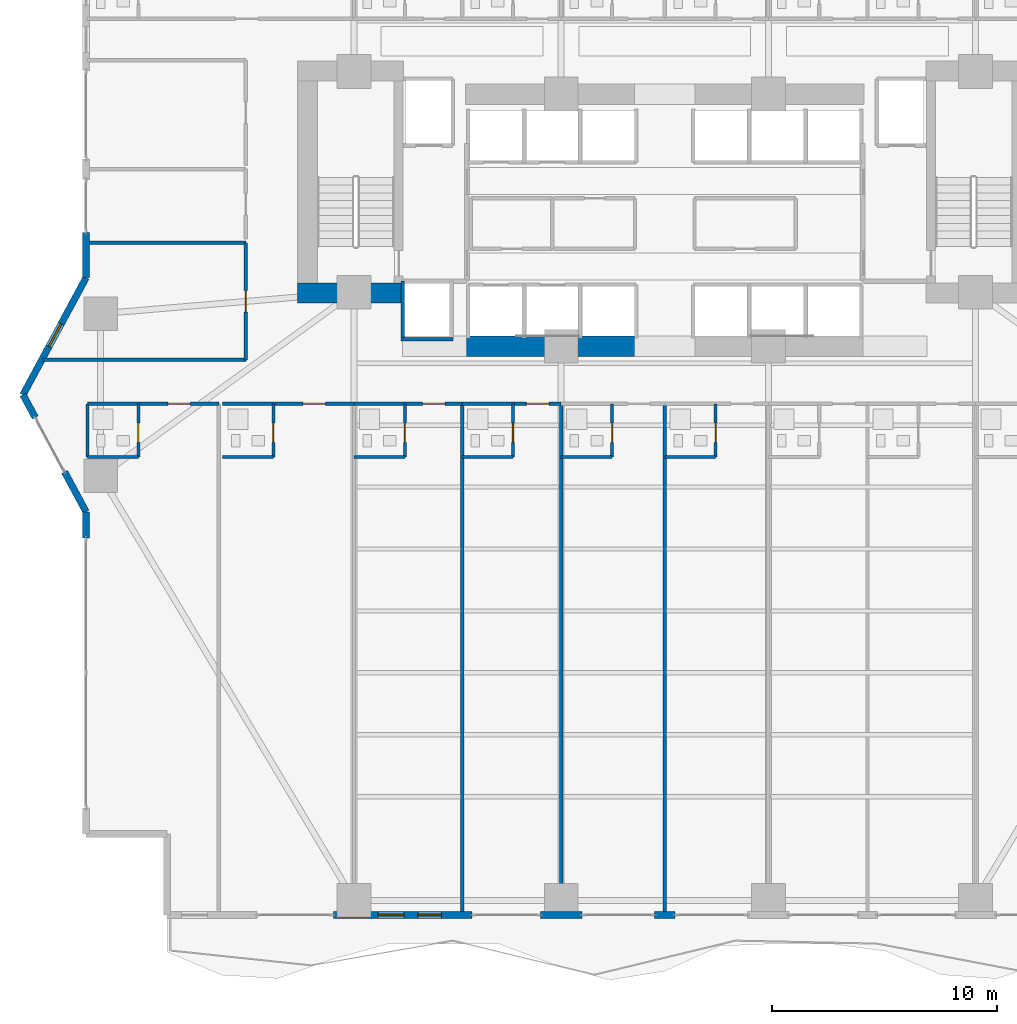
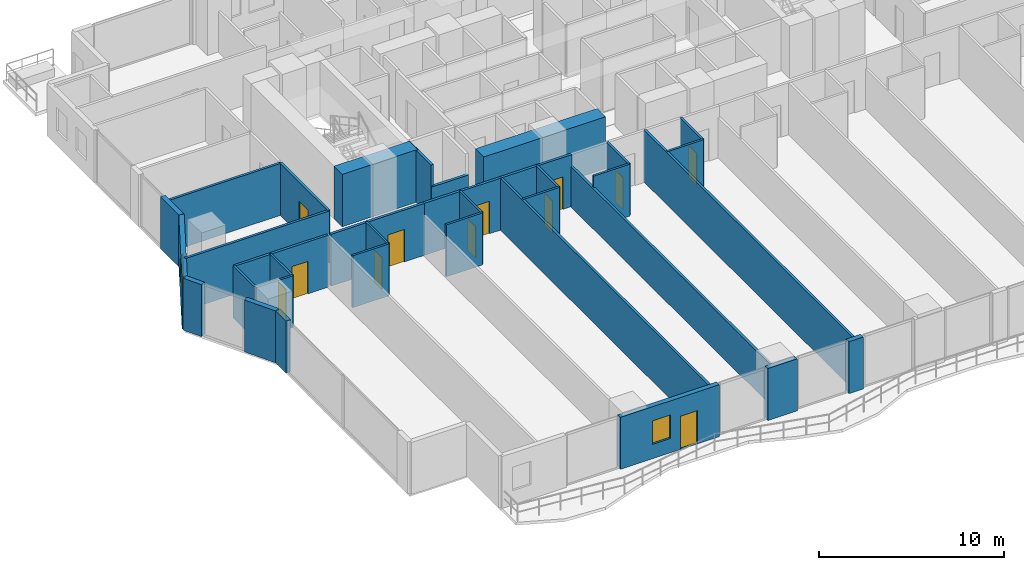
# One storey, part 19 of 29: 35 walls, 12 doors, 2 windows, 14 openings.
"""IFC4 building model written with IfcOpenShell, lengths in metres."""

from ifc_helpers import new_model, si_unit, direction, frame, frame_2d, origin, place, context, subcontext, project, spatial, rectangle, extrude, material, layer, layer_set, type_object, element, fill, save


model = new_model("IFC4")

# Units and contexts
model_context = context("Model", 3, precision=1e-05, world=origin(), true_north=direction((0.0, 1.0)))
body_context = subcontext(model_context, "Body", "Model", "MODEL_VIEW")
ifc_project = project(units=[si_unit("LENGTHUNIT", "METRE"), si_unit("AREAUNIT", "SQUARE_METRE"), si_unit("VOLUMEUNIT", "CUBIC_METRE"), si_unit("PLANEANGLEUNIT", "RADIAN"), si_unit("MASSUNIT", "GRAM", prefix="KILO")], contexts=[model_context])

# Site, building, storey
site_placement = place(None, origin())
site = spatial("IfcSite", under=ifc_project, at=site_placement, CompositionType="ELEMENT")
building_placement = place(site_placement, origin())
building = spatial("IfcBuilding", under=site, at=building_placement, Name="Zuhayl Quay Hotel", CompositionType="ELEMENT")
storey_placement = place(building_placement, frame((0.0, 0.0, 64.10009765625)))
storey = spatial("IfcBuildingStorey", under=building, at=storey_placement, Name="L15", CompositionType="ELEMENT", Elevation=64.10009765625)

# Walls
ifc_material_1 = material(Name="Concrete C70/85", Category="concrete")
ifc_layer_1 = layer(ifc_material_1, 0.89990234375, Name="Concrete C70/85", Category="concrete")
ifc_layer_set_1 = layer_set([ifc_layer_1], Name="Concrete C70/85")
wall_type_1 = type_object("IfcWallType", Name="WL_CORE_900", PredefinedType="SHEAR", material=ifc_layer_set_1)
wall_1_placement = place(storey_placement, frame((-16.31005859375, 4.52001953125, 0.0), z_axis=(0.0, 0.0, 1.0), x_axis=(1.0, 0.0, 0.0)))
element("IfcWall", 1, at=wall_1_placement, inside=storey, type_object=wall_type_1, Name="L15 Core Shear Wall CW_SW", PredefinedType="SHEAR", context=body_context, shape_type="SweptSolid", body=[
    extrude(rectangle(XDim=4.7099609375, YDim=0.89990234375, at=frame_2d((2.35498046875, 0.0))), origin(), (0.0, 0.0, 1.0), 3.4599609375),
])
wall_2_placement = place(storey_placement, frame((-8.85009765625, 2.14990234375, 0.0), z_axis=(0.0, 0.0, 1.0), x_axis=(1.0, 0.0, 0.0)))
element("IfcWall", 2, at=wall_2_placement, inside=storey, type_object=wall_type_1, Name="L15 Core Shear Wall CW_SC_W", PredefinedType="SHEAR", context=body_context, shape_type="SweptSolid", body=[
    extrude(rectangle(XDim=7.60009765625, YDim=0.89990234375, at=frame_2d((3.800048828125, 0.0))), origin(), (0.0, 0.0, 1.0), 3.429931640625),
])
ifc_material_2 = material(Name="Precast concrete C45/55", Category="concrete")
ifc_layer_2 = layer(ifc_material_2, 0.300048828125, Name="Precast concrete C45/55", Category="concrete")
ifc_layer_set_2 = layer_set([ifc_layer_2], Name="Precast concrete C45/55")
wall_type_2 = type_object("IfcWallType", Name="WL_EXT_300", PredefinedType="STANDARD", material=ifc_layer_set_2)
wall_3_placement = place(storey_placement, frame((-25.699951171875, -6.35009765625, 0.0), z_axis=(0.0, 0.0, 1.0), x_axis=(0.0, 1.0, 0.0)))
element("IfcWall", 3, at=wall_3_placement, inside=storey, type_object=wall_type_2, Name="L15 Exterior Precast Wall ENV_L15_E02_EW2", PredefinedType="STANDARD", context=body_context, shape_type="SweptSolid", body=[
    extrude(rectangle(XDim=1.150146484375, YDim=0.300048828125, at=frame_2d((0.5751953125, 0.0))), origin(), (0.0, 0.0, 1.0), 3.429931640625),
])
wall_4_placement = place(storey_placement, frame((-25.699951171875, -5.199951171875, 0.0), z_axis=(0.0, 0.0, 1.0), x_axis=(-0.474121438562, 0.88045946045, 0.0)))
element("IfcWall", 4, at=wall_4_placement, inside=storey, type_object=wall_type_2, Name="L15 Exterior Precast Wall ENV_L15_E03_EW1", PredefinedType="STANDARD", context=body_context, shape_type="SweptSolid", body=[
    extrude(rectangle(XDim=2.0205078125, YDim=0.300048828125, at=frame_2d((1.01025390625, 0.0))), origin(), (0.0, 0.0, 1.0), 3.429931640625),
])
wall_5_placement = place(storey_placement, frame((-27.954833984375, -1.012451171875, 0.0), z_axis=(0.0, 0.0, 1.0), x_axis=(-0.474099823035, 0.880471099922, 0.0)))
element("IfcWall", 5, at=wall_5_placement, inside=storey, type_object=wall_type_2, Name="L15 Exterior Precast Wall ENV_L15_E03_EW2", PredefinedType="STANDARD", context=body_context, shape_type="SweptSolid", body=[
    extrude(rectangle(XDim=1.14990234375, YDim=0.300048828125, at=frame_2d((0.574951171875, 0.0))), origin(), (0.0, 0.0, 1.0), 3.429931640625),
])

# Wall, opening, window
wall_6_placement = place(storey_placement, frame((-28.5, 0.0, 0.0), z_axis=(0.0, 0.0, 1.0), x_axis=(0.474109683532, 0.880465790352, 0.0)))
wall_6 = element("IfcWall", 6, at=wall_6_placement, inside=storey, type_object=wall_type_2, Name="L15 Exterior Precast Wall ENV_L15_E04_EW1", PredefinedType="STANDARD", context=body_context, shape_type="SweptSolid", body=[
    extrude(rectangle(XDim=5.906005859375, YDim=0.300048828125, at=frame_2d((2.953125, 0.0))), origin(), (0.0, 0.0, 1.0), 3.429931640625),
])
opening_1_placement = place(wall_6_placement, frame((2.43212890625, 0.0, 0.949951171875)))
opening_1 = element("IfcOpeningElement", 7, at=opening_1_placement, cuts=wall_6, Name="Opening W01N", PredefinedType="OPENING", context=body_context, shape_type="SweptSolid", body=[
    extrude(rectangle(XDim=1.14990234375, YDim=1.550048828125, at=frame_2d((0.574951171875, 0.77490234375))), frame((0.0, 0.159912109375, 0.0), z_axis=(0.0, -1.0, 0.0), x_axis=(1.0, 0.0, 0.0)), (0.0, 0.0, 1.0), 0.320068359375),
])
ifc_material_3 = material(Name="Dark Ceramic-Fritted Solar Glass", Category="glass")
window_type = type_object("IfcWindowType", Name="WN_NOTCH_1350", PartitioningType="SINGLE_PANEL", PredefinedType="WINDOW", material=ifc_material_3)
window_1_placement = place(opening_1_placement, origin())
window_1 = element("IfcWindow", 8, at=window_1_placement, inside=storey, type_object=window_type, Name="L15 Operable Facade Window 1-1", OverallHeight=1.550048828125, OverallWidth=1.14990234375, PartitioningType="SINGLE_PANEL", PredefinedType="WINDOW", context=body_context, shape_type="SweptSolid", body=[
    extrude(rectangle(XDim=1.14990234375, YDim=1.550048828125, at=frame_2d((0.574951171875, 0.77490234375))), frame((0.0, 0.030029296875, 0.0), z_axis=(0.0, -1.0, 0.0), x_axis=(1.0, 0.0, 0.0)), (0.0, 0.0, 1.0), 0.06005859375),
])
fill(opening_1, window_1)

# Walls
wall_7_placement = place(storey_placement, frame((-25.699951171875, 5.199951171875, 0.0), z_axis=(0.0, 0.0, 1.0), x_axis=(0.0, 1.0, 0.0)))
element("IfcWall", 9, at=wall_7_placement, inside=storey, type_object=wall_type_2, Name="L15 Exterior Precast Wall ENV_L15_E05_EW1", PredefinedType="STANDARD", context=body_context, shape_type="SweptSolid", body=[
    extrude(rectangle(XDim=2.0, YDim=0.300048828125, at=frame_2d((1.0, 0.0))), origin(), (0.0, 0.0, 1.0), 3.429931640625),
])
wall_8_placement = place(storey_placement, frame((0.449951171875, -23.10009765625, 0.0), z_axis=(0.0, 0.0, 1.0), x_axis=(-1.0, 0.0, 0.0)))
element("IfcWall", 10, at=wall_8_placement, inside=storey, type_object=wall_type_2, Name="L15 Exterior Precast Wall ENV_L15_S_EW5", PredefinedType="STANDARD", context=body_context, shape_type="SweptSolid", body=[
    extrude(rectangle(XDim=0.89990234375, YDim=0.300048828125, at=frame_2d((0.449951171875, 0.0))), origin(), (0.0, 0.0, 1.0), 3.429931640625),
])
wall_9_placement = place(storey_placement, frame((-3.679931640625, -23.10009765625, 0.0), z_axis=(0.0, 0.0, 1.0), x_axis=(-1.0, 0.0, 0.0)))
element("IfcWall", 11, at=wall_9_placement, inside=storey, type_object=wall_type_2, Name="L15 Exterior Precast Wall ENV_L15_S_EW6", PredefinedType="STANDARD", context=body_context, shape_type="SweptSolid", body=[
    extrude(rectangle(XDim=1.840087890625, YDim=0.300048828125, at=frame_2d((0.919921875, 0.0))), origin(), (0.0, 0.0, 1.0), 3.429931640625),
])

# Wall, openings, door, window
wall_10_placement = place(storey_placement, frame((-8.550048828125, -23.10009765625, 0.0), z_axis=(0.0, 0.0, 1.0), x_axis=(-1.0, 0.0, 0.0)))
wall_10 = element("IfcWall", 12, at=wall_10_placement, inside=storey, type_object=wall_type_2, Name="L15 Exterior Precast Wall ENV_L15_S_EW7", PredefinedType="STANDARD", context=body_context, shape_type="SweptSolid", body=[
    extrude(rectangle(XDim=6.169921875, YDim=0.300048828125, at=frame_2d((3.0849609375, 0.0))), origin(), (0.0, 0.0, 1.0), 3.429931640625),
])
opening_2_placement = place(wall_10_placement, frame((1.364990234375, 0.0, 0.0)))
opening_2 = element("IfcOpeningElement", 13, at=opening_2_placement, cuts=wall_10, Name="Opening DG1", PredefinedType="OPENING", context=body_context, shape_type="SweptSolid", body=[
    extrude(rectangle(XDim=1.050048828125, YDim=2.199951171875, at=frame_2d((0.52490234375, 1.10009765625))), frame((0.0, 0.159912109375, 0.0), z_axis=(0.0, -1.0, 0.0), x_axis=(1.0, 0.0, 0.0)), (0.0, 0.0, 1.0), 0.320068359375),
])
opening_3_placement = place(wall_10_placement, frame((3.032470703125, 0.0, 0.949951171875)))
opening_3 = element("IfcOpeningElement", 14, at=opening_3_placement, cuts=wall_10, Name="Opening W01N", PredefinedType="OPENING", context=body_context, shape_type="SweptSolid", body=[
    extrude(rectangle(XDim=1.14990234375, YDim=1.550048828125, at=frame_2d((0.574951171875, 0.77490234375))), frame((0.0, 0.159912109375, 0.0), z_axis=(0.0, -1.0, 0.0), x_axis=(1.0, 0.0, 0.0)), (0.0, 0.0, 1.0), 0.320068359375),
])
ifc_material_4 = material(Name="Anodised Aluminium and Dark Solar Glass", Category="aluminium")
door_type_1 = type_object("IfcDoorType", Name="DR_EXT_TERR_1050", OperationType="NOTDEFINED", PredefinedType="DOOR", material=ifc_material_4)
door_1_placement = place(opening_2_placement, origin())
door_1 = element("IfcDoor", 15, at=door_1_placement, inside=storey, type_object=door_type_1, Name="L15 South Rippling Balcony Door", OperationType="SINGLE_SWING_RIGHT", OverallHeight=2.199951171875, OverallWidth=1.050048828125, PredefinedType="DOOR", context=body_context, shape_type="SweptSolid", body=[
    extrude(rectangle(XDim=1.050048828125, YDim=2.199951171875, at=frame_2d((0.52490234375, 1.10009765625))), frame((0.0, 0.02490234375, 0.0), z_axis=(0.0, -1.0, 0.0), x_axis=(1.0, 0.0, 0.0)), (0.0, 0.0, 1.0), 0.050048828125),
])
fill(opening_2, door_1)
window_2_placement = place(opening_3_placement, origin())
window_2 = element("IfcWindow", 16, at=window_2_placement, inside=storey, type_object=window_type, Name="L15 Operable Facade Window 7-1", OverallHeight=1.550048828125, OverallWidth=1.14990234375, PartitioningType="SINGLE_PANEL", PredefinedType="WINDOW", context=body_context, shape_type="SweptSolid", body=[
    extrude(rectangle(XDim=1.14990234375, YDim=1.550048828125, at=frame_2d((0.574951171875, 0.77490234375))), frame((0.0, 0.030029296875, 0.0), z_axis=(0.0, -1.0, 0.0), x_axis=(1.0, 0.0, 0.0)), (0.0, 0.0, 1.0), 0.06005859375),
])
fill(opening_3, window_2)

# Walls
ifc_material_5 = material(Name="Acoustic Gypsum Partition STC-58")
ifc_layer_3 = layer(ifc_material_5, 0.14990234375, Name="Acoustic Gypsum Partition STC-58")
ifc_layer_set_3 = layer_set([ifc_layer_3], Name="Acoustic Gypsum Partition STC-58")
wall_type_3 = type_object("IfcWallType", Name="WL_PART_150", PredefinedType="PARTITIONING", material=ifc_layer_set_3)
wall_11_placement = place(storey_placement, frame((-9.0, -23.02001953125, 0.0), z_axis=(0.0, 0.0, 1.0), x_axis=(0.0, 1.0, 0.0)))
element("IfcWall", 17, at=wall_11_placement, inside=storey, type_object=wall_type_3, Name="L15 Partition IW_L15_SU02_E", PredefinedType="PARTITIONING", context=body_context, shape_type="SweptSolid", body=[
    extrude(rectangle(XDim=22.6201171875, YDim=0.14990234375, at=frame_2d((11.31005859375, 0.0))), origin(), (0.0, 0.0, 1.0), 3.429931640625),
])
wall_12_placement = place(storey_placement, frame((-4.60009765625, -23.02001953125, 0.0), z_axis=(0.0, 0.0, 1.0), x_axis=(0.0, 1.0, 0.0)))
element("IfcWall", 18, at=wall_12_placement, inside=storey, type_object=wall_type_3, Name="L15 Partition IW_L15_SU03_E", PredefinedType="PARTITIONING", context=body_context, shape_type="SweptSolid", body=[
    extrude(rectangle(XDim=22.6201171875, YDim=0.14990234375, at=frame_2d((11.31005859375, 0.0))), origin(), (0.0, 0.0, 1.0), 2.66796875),
])
wall_13_placement = place(storey_placement, frame((0.0, -23.02001953125, 0.0), z_axis=(0.0, 0.0, 1.0), x_axis=(0.0, 1.0, 0.0)))
element("IfcWall", 19, at=wall_13_placement, inside=storey, type_object=wall_type_3, Name="L15 Partition IW_L15_SU04_E", PredefinedType="PARTITIONING", context=body_context, shape_type="SweptSolid", body=[
    extrude(rectangle(XDim=22.6201171875, YDim=0.14990234375, at=frame_2d((11.31005859375, 0.0))), origin(), (0.0, 0.0, 1.0), 3.429931640625),
])
wall_14_placement = place(storey_placement, frame((-27.60546875, 1.550048828125, 0.0), z_axis=(0.0, 0.0, 1.0), x_axis=(1.0, 0.0, 0.0)))
element("IfcWall", 20, at=wall_14_placement, inside=storey, type_object=wall_type_3, Name="L15 Partition IW_L15_WPROW_1_S", PredefinedType="PARTITIONING", context=body_context, shape_type="SweptSolid", body=[
    extrude(rectangle(XDim=9.00537109375, YDim=0.14990234375, at=frame_2d((4.502685546875, 0.0))), origin(), (0.0, 0.0, 1.0), 3.429931640625),
])
wall_15_placement = place(storey_placement, frame((-25.639892578125, 6.75, 0.0), z_axis=(0.0, 0.0, 1.0), x_axis=(1.0, 0.0, 0.0)))
element("IfcWall", 21, at=wall_15_placement, inside=storey, type_object=wall_type_3, Name="L15 Partition IW_L15_WPROW_1_N", PredefinedType="PARTITIONING", context=body_context, shape_type="SweptSolid", body=[
    extrude(rectangle(XDim=7.039794921875, YDim=0.14990234375, at=frame_2d((3.52001953125, 0.0))), origin(), (0.0, 0.0, 1.0), 3.429931640625),
])

# Wall, opening, door
ifc_layer_4 = layer(ifc_material_5, 0.159912109375, Name="Acoustic Gypsum Partition STC-58")
ifc_layer_set_4 = layer_set([ifc_layer_4], Name="Acoustic Gypsum Partition STC-58")
wall_type_4 = type_object("IfcWallType", Name="WL_PART_CORR_160", PredefinedType="PARTITIONING", material=ifc_layer_set_4)
wall_16_placement = place(storey_placement, frame((-25.639892578125, -0.39990234375, 0.0), z_axis=(0.0, 0.0, 1.0), x_axis=(1.0, 0.0, 0.0)))
wall_16 = element("IfcWall", 22, at=wall_16_placement, inside=storey, type_object=wall_type_4, Name="L15 Partition IW_L15_SU01A_COR", PredefinedType="PARTITIONING", context=body_context, shape_type="SweptSolid", body=[
    extrude(rectangle(XDim=5.83984375, YDim=0.159912109375, at=frame_2d((2.919921875, 0.0))), origin(), (0.0, 0.0, 1.0), 3.429931640625),
])
opening_4_placement = place(wall_16_placement, frame((3.570068359375, 0.0, 0.0)))
opening_4 = element("IfcOpeningElement", 23, at=opening_4_placement, cuts=wall_16, Name="Opening D03L", PredefinedType="OPENING", context=body_context, shape_type="SweptSolid", body=[
    extrude(rectangle(XDim=1.0, YDim=2.14990234375, at=frame_2d((0.5, 1.074951171875))), frame((0.0, 0.08984375, 0.0), z_axis=(0.0, -1.0, 0.0), x_axis=(1.0, 0.0, 0.0)), (0.0, 0.0, 1.0), 0.179931640625),
])
ifc_material_6 = material(Name="Solid Walnut Acoustic Fire Door")
door_type_2 = type_object("IfcDoorType", Name="DR_SUITE_1000", OperationType="NOTDEFINED", PredefinedType="DOOR", material=ifc_material_6)
door_2_placement = place(opening_4_placement, origin())
door_2 = element("IfcDoor", 24, at=door_2_placement, inside=storey, type_object=door_type_2, Name="L15 Premier Twin Junior Suite L15-01A Entrance Door", OperationType="SINGLE_SWING_LEFT", OverallHeight=2.14990234375, OverallWidth=1.0, PredefinedType="DOOR", context=body_context, shape_type="SweptSolid", body=[
    extrude(rectangle(XDim=1.0, YDim=2.14990234375, at=frame_2d((0.5, 1.074951171875))), frame((0.0, 0.02490234375, 0.0), z_axis=(0.0, -1.0, 0.0), x_axis=(1.0, 0.0, 0.0)), (0.0, 0.0, 1.0), 0.050048828125),
])
fill(opening_4, door_2)

wall_17_placement = place(storey_placement, frame((-19.639892578125, -0.39990234375, 0.0), z_axis=(0.0, 0.0, 1.0), x_axis=(1.0, 0.0, 0.0)))
wall_17 = element("IfcWall", 25, at=wall_17_placement, inside=storey, type_object=wall_type_4, Name="L15 Partition IW_L15_SU01B_COR", PredefinedType="PARTITIONING", context=body_context, shape_type="SweptSolid", body=[
    extrude(rectangle(XDim=5.83984375, YDim=0.159912109375, at=frame_2d((2.919921875, 0.0))), origin(), (0.0, 0.0, 1.0), 3.429931640625),
])
opening_5_placement = place(wall_17_placement, frame((3.570068359375, 0.0, 0.0)))
opening_5 = element("IfcOpeningElement", 26, at=opening_5_placement, cuts=wall_17, Name="Opening D03L", PredefinedType="OPENING", context=body_context, shape_type="SweptSolid", body=[
    extrude(rectangle(XDim=1.0, YDim=2.14990234375, at=frame_2d((0.5, 1.074951171875))), frame((0.0, 0.08984375, 0.0), z_axis=(0.0, -1.0, 0.0), x_axis=(1.0, 0.0, 0.0)), (0.0, 0.0, 1.0), 0.179931640625),
])
door_3_placement = place(opening_5_placement, origin())
door_3 = element("IfcDoor", 27, at=door_3_placement, inside=storey, type_object=door_type_2, Name="L15 Premier Twin Junior Suite L15-01B Entrance Door", OperationType="SINGLE_SWING_LEFT", OverallHeight=2.14990234375, OverallWidth=1.0, PredefinedType="DOOR", context=body_context, shape_type="SweptSolid", body=[
    extrude(rectangle(XDim=1.0, YDim=2.14990234375, at=frame_2d((0.5, 1.074951171875))), frame((0.0, 0.02490234375, 0.0), z_axis=(0.0, -1.0, 0.0), x_axis=(1.0, 0.0, 0.0)), (0.0, 0.0, 1.0), 0.050048828125),
])
fill(opening_5, door_3)

wall_18_placement = place(storey_placement, frame((-13.800048828125, -0.39990234375, 0.0), z_axis=(0.0, 0.0, 1.0), x_axis=(1.0, 0.0, 0.0)))
wall_18 = element("IfcWall", 28, at=wall_18_placement, inside=storey, type_object=wall_type_4, Name="L15 Partition IW_L15_SU02_COR", PredefinedType="PARTITIONING", context=body_context, shape_type="SweptSolid", body=[
    extrude(rectangle(XDim=4.800048828125, YDim=0.159912109375, at=frame_2d((2.39990234375, 0.0))), origin(), (0.0, 0.0, 1.0), 3.429931640625),
])
opening_6_placement = place(wall_18_placement, frame((3.050048828125, 0.0, 0.0)))
opening_6 = element("IfcOpeningElement", 29, at=opening_6_placement, cuts=wall_18, Name="Opening D03L", PredefinedType="OPENING", context=body_context, shape_type="SweptSolid", body=[
    extrude(rectangle(XDim=1.0, YDim=2.14990234375, at=frame_2d((0.5, 1.074951171875))), frame((0.0, 0.08984375, 0.0), z_axis=(0.0, -1.0, 0.0), x_axis=(1.0, 0.0, 0.0)), (0.0, 0.0, 1.0), 0.179931640625),
])
door_4_placement = place(opening_6_placement, origin())
door_4 = element("IfcDoor", 30, at=door_4_placement, inside=storey, type_object=door_type_2, Name="L15 Premier Twin Junior Suite L15-02 Entrance Door", OperationType="SINGLE_SWING_LEFT", OverallHeight=2.14990234375, OverallWidth=1.0, PredefinedType="DOOR", context=body_context, shape_type="SweptSolid", body=[
    extrude(rectangle(XDim=1.0, YDim=2.14990234375, at=frame_2d((0.5, 1.074951171875))), frame((0.0, 0.02490234375, 0.0), z_axis=(0.0, -1.0, 0.0), x_axis=(1.0, 0.0, 0.0)), (0.0, 0.0, 1.0), 0.050048828125),
])
fill(opening_6, door_4)

wall_19_placement = place(storey_placement, frame((-9.0, -0.39990234375, 0.0), z_axis=(0.0, 0.0, 1.0), x_axis=(1.0, 0.0, 0.0)))
wall_19 = element("IfcWall", 31, at=wall_19_placement, inside=storey, type_object=wall_type_4, Name="L15 Partition IW_L15_SU03_COR", PredefinedType="PARTITIONING", context=body_context, shape_type="SweptSolid", body=[
    extrude(rectangle(XDim=4.39990234375, YDim=0.159912109375, at=frame_2d((2.199951171875, 0.0))), origin(), (0.0, 0.0, 1.0), 3.429931640625),
])
opening_7_placement = place(wall_19_placement, frame((2.85009765625, 0.0, 0.0)))
opening_7 = element("IfcOpeningElement", 32, at=opening_7_placement, cuts=wall_19, Name="Opening D03L", PredefinedType="OPENING", context=body_context, shape_type="SweptSolid", body=[
    extrude(rectangle(XDim=1.0, YDim=2.14990234375, at=frame_2d((0.5, 1.074951171875))), frame((0.0, 0.08984375, 0.0), z_axis=(0.0, -1.0, 0.0), x_axis=(1.0, 0.0, 0.0)), (0.0, 0.0, 1.0), 0.179931640625),
])
door_5_placement = place(opening_7_placement, origin())
door_5 = element("IfcDoor", 33, at=door_5_placement, inside=storey, type_object=door_type_2, Name="L15 Premier Twin Junior Suite L15-03 Entrance Door", OperationType="SINGLE_SWING_LEFT", OverallHeight=2.14990234375, OverallWidth=1.0, PredefinedType="DOOR", context=body_context, shape_type="SweptSolid", body=[
    extrude(rectangle(XDim=1.0, YDim=2.14990234375, at=frame_2d((0.5, 1.074951171875))), frame((0.0, 0.02490234375, 0.0), z_axis=(0.0, -1.0, 0.0), x_axis=(1.0, 0.0, 0.0)), (0.0, 0.0, 1.0), 0.050048828125),
])
fill(opening_7, door_5)

wall_20_placement = place(storey_placement, frame((-18.60009765625, 1.550048828125, 0.0), z_axis=(0.0, 0.0, 1.0), x_axis=(0.0, 1.0, 0.0)))
wall_20 = element("IfcWall", 34, at=wall_20_placement, inside=storey, type_object=wall_type_4, Name="L15 Partition IW_L15_WPROW_1_E", PredefinedType="PARTITIONING", context=body_context, shape_type="SweptSolid", body=[
    extrude(rectangle(XDim=5.199951171875, YDim=0.159912109375, at=frame_2d((2.60009765625, 0.0))), origin(), (0.0, 0.0, 1.0), 3.429931640625),
])
opening_8_placement = place(wall_20_placement, frame((2.125, 0.0, 0.0)))
opening_8 = element("IfcOpeningElement", 35, at=opening_8_placement, cuts=wall_20, Name="Opening D03", PredefinedType="OPENING", context=body_context, shape_type="SweptSolid", body=[
    extrude(rectangle(XDim=0.949951171875, YDim=2.14990234375, at=frame_2d((0.47509765625, 1.074951171875))), frame((0.0, 0.08984375, 0.0), z_axis=(0.0, -1.0, 0.0), x_axis=(1.0, 0.0, 0.0)), (0.0, 0.0, 1.0), 0.179931640625),
])
door_type_3 = type_object("IfcDoorType", Name="DR_SUITE_950", OperationType="NOTDEFINED", PredefinedType="DOOR", material=ifc_material_6)
door_6_placement = place(opening_8_placement, origin())
door_6 = element("IfcDoor", 36, at=door_6_placement, inside=storey, type_object=door_type_3, Name="L15 West Prow Office L15 Door", OperationType="SINGLE_SWING_LEFT", OverallHeight=2.14990234375, OverallWidth=0.949951171875, PredefinedType="DOOR", context=body_context, shape_type="SweptSolid", body=[
    extrude(rectangle(XDim=0.949951171875, YDim=2.14990234375, at=frame_2d((0.47509765625, 1.074951171875))), frame((0.0, 0.02490234375, 0.0), z_axis=(0.0, -1.0, 0.0), x_axis=(1.0, 0.0, 0.0)), (0.0, 0.0, 1.0), 0.050048828125),
])
fill(opening_8, door_6)

ifc_material_7 = material(Name="Moisture-Resistant Sanitarychase Gypsum")
ifc_layer_5 = layer(ifc_material_7, 0.135009765625, Name="Moisture-Resistant Sanitarychase Gypsum")
ifc_layer_set_5 = layer_set([ifc_layer_5], Name="Moisture-Resistant Sanitarychase Gypsum")
wall_type_5 = type_object("IfcWallType", Name="WL_PART_PLUMB_150", PredefinedType="PLUMBINGWALL", material=ifc_layer_set_5)
wall_21_placement = place(storey_placement, frame((-23.3798828125, -2.760009765625, 0.0), z_axis=(0.0, 0.0, 1.0), x_axis=(0.0, 1.0, 0.0)))
wall_21 = element("IfcWall", 37, at=wall_21_placement, inside=storey, type_object=wall_type_5, Name="L15 Partition IW_L15_SU01A_BE", PredefinedType="PLUMBINGWALL", context=body_context, shape_type="SweptSolid", body=[
    extrude(rectangle(XDim=2.360107421875, YDim=0.135009765625, at=frame_2d((1.18017578125, 0.0))), origin(), (0.0, 0.0, 1.0), 3.429931640625),
])
opening_9_placement = place(wall_21_placement, frame((0.64990234375, 0.0, 0.0)))
opening_9 = element("IfcOpeningElement", 38, at=opening_9_placement, cuts=wall_21, Name="Opening D04", PredefinedType="OPENING", context=body_context, shape_type="SweptSolid", body=[
    extrude(rectangle(XDim=0.85009765625, YDim=2.10009765625, at=frame_2d((0.425048828125, 1.050048828125))), frame((0.0, 0.077392578125, 0.0), z_axis=(0.0, -1.0, 0.0), x_axis=(1.0, 0.0, 0.0)), (0.0, 0.0, 1.0), 0.155029296875),
])
ifc_material_8 = material(Name="Moisture-Resistant Walnut Veneer")
door_type_4 = type_object("IfcDoorType", Name="DR_BATH_850", OperationType="NOTDEFINED", PredefinedType="DOOR", material=ifc_material_8)
door_7_placement = place(opening_9_placement, origin())
door_7 = element("IfcDoor", 39, at=door_7_placement, inside=storey, type_object=door_type_4, Name="L15 Premier Twin Junior Suite L15-01A En-Suite Door", OperationType="SINGLE_SWING_RIGHT", OverallHeight=2.10009765625, OverallWidth=0.85009765625, PredefinedType="DOOR", context=body_context, shape_type="SweptSolid", body=[
    extrude(rectangle(XDim=0.85009765625, YDim=2.10009765625, at=frame_2d((0.425048828125, 1.050048828125))), frame((0.0, 0.02490234375, 0.0), z_axis=(0.0, -1.0, 0.0), x_axis=(1.0, 0.0, 0.0)), (0.0, 0.0, 1.0), 0.050048828125),
])
fill(opening_9, door_7)

wall_22_placement = place(storey_placement, frame((-17.3798828125, -2.760009765625, 0.0), z_axis=(0.0, 0.0, 1.0), x_axis=(0.0, 1.0, 0.0)))
wall_22 = element("IfcWall", 40, at=wall_22_placement, inside=storey, type_object=wall_type_5, Name="L15 Partition IW_L15_SU01B_BE", PredefinedType="PLUMBINGWALL", context=body_context, shape_type="SweptSolid", body=[
    extrude(rectangle(XDim=2.360107421875, YDim=0.135009765625, at=frame_2d((1.18017578125, 0.0))), origin(), (0.0, 0.0, 1.0), 3.429931640625),
])
opening_10_placement = place(wall_22_placement, frame((0.64990234375, 0.0, 0.0)))
opening_10 = element("IfcOpeningElement", 41, at=opening_10_placement, cuts=wall_22, Name="Opening D04", PredefinedType="OPENING", context=body_context, shape_type="SweptSolid", body=[
    extrude(rectangle(XDim=0.85009765625, YDim=2.10009765625, at=frame_2d((0.425048828125, 1.050048828125))), frame((0.0, 0.077392578125, 0.0), z_axis=(0.0, -1.0, 0.0), x_axis=(1.0, 0.0, 0.0)), (0.0, 0.0, 1.0), 0.155029296875),
])
door_8_placement = place(opening_10_placement, origin())
door_8 = element("IfcDoor", 42, at=door_8_placement, inside=storey, type_object=door_type_4, Name="L15 Premier Twin Junior Suite L15-01B En-Suite Door", OperationType="SINGLE_SWING_RIGHT", OverallHeight=2.10009765625, OverallWidth=0.85009765625, PredefinedType="DOOR", context=body_context, shape_type="SweptSolid", body=[
    extrude(rectangle(XDim=0.85009765625, YDim=2.10009765625, at=frame_2d((0.425048828125, 1.050048828125))), frame((0.0, 0.02490234375, 0.0), z_axis=(0.0, -1.0, 0.0), x_axis=(1.0, 0.0, 0.0)), (0.0, 0.0, 1.0), 0.050048828125),
])
fill(opening_10, door_8)

wall_23_placement = place(storey_placement, frame((-11.5400390625, -2.760009765625, 0.0), z_axis=(0.0, 0.0, 1.0), x_axis=(0.0, 1.0, 0.0)))
wall_23 = element("IfcWall", 43, at=wall_23_placement, inside=storey, type_object=wall_type_5, Name="L15 Partition IW_L15_SU02_BE", PredefinedType="PLUMBINGWALL", context=body_context, shape_type="SweptSolid", body=[
    extrude(rectangle(XDim=2.360107421875, YDim=0.135009765625, at=frame_2d((1.18017578125, 0.0))), origin(), (0.0, 0.0, 1.0), 3.429931640625),
])
opening_11_placement = place(wall_23_placement, frame((0.64990234375, 0.0, 0.0)))
opening_11 = element("IfcOpeningElement", 44, at=opening_11_placement, cuts=wall_23, Name="Opening D04", PredefinedType="OPENING", context=body_context, shape_type="SweptSolid", body=[
    extrude(rectangle(XDim=0.85009765625, YDim=2.10009765625, at=frame_2d((0.425048828125, 1.050048828125))), frame((0.0, 0.077392578125, 0.0), z_axis=(0.0, -1.0, 0.0), x_axis=(1.0, 0.0, 0.0)), (0.0, 0.0, 1.0), 0.155029296875),
])
door_9_placement = place(opening_11_placement, origin())
door_9 = element("IfcDoor", 45, at=door_9_placement, inside=storey, type_object=door_type_4, Name="L15 Premier Twin Junior Suite L15-02 En-Suite Door", OperationType="SINGLE_SWING_RIGHT", OverallHeight=2.10009765625, OverallWidth=0.85009765625, PredefinedType="DOOR", context=body_context, shape_type="SweptSolid", body=[
    extrude(rectangle(XDim=0.85009765625, YDim=2.10009765625, at=frame_2d((0.425048828125, 1.050048828125))), frame((0.0, 0.02490234375, 0.0), z_axis=(0.0, -1.0, 0.0), x_axis=(1.0, 0.0, 0.0)), (0.0, 0.0, 1.0), 0.050048828125),
])
fill(opening_11, door_9)

wall_24_placement = place(storey_placement, frame((-6.739990234375, -2.760009765625, 0.0), z_axis=(0.0, 0.0, 1.0), x_axis=(0.0, 1.0, 0.0)))
wall_24 = element("IfcWall", 46, at=wall_24_placement, inside=storey, type_object=wall_type_5, Name="L15 Partition IW_L15_SU03_BE", PredefinedType="PLUMBINGWALL", context=body_context, shape_type="SweptSolid", body=[
    extrude(rectangle(XDim=2.360107421875, YDim=0.135009765625, at=frame_2d((1.18017578125, 0.0))), origin(), (0.0, 0.0, 1.0), 3.429931640625),
])
opening_12_placement = place(wall_24_placement, frame((0.64990234375, 0.0, 0.0)))
opening_12 = element("IfcOpeningElement", 47, at=opening_12_placement, cuts=wall_24, Name="Opening D04", PredefinedType="OPENING", context=body_context, shape_type="SweptSolid", body=[
    extrude(rectangle(XDim=0.85009765625, YDim=2.10009765625, at=frame_2d((0.425048828125, 1.050048828125))), frame((0.0, 0.077392578125, 0.0), z_axis=(0.0, -1.0, 0.0), x_axis=(1.0, 0.0, 0.0)), (0.0, 0.0, 1.0), 0.155029296875),
])
door_10_placement = place(opening_12_placement, origin())
door_10 = element("IfcDoor", 48, at=door_10_placement, inside=storey, type_object=door_type_4, Name="L15 Premier Twin Junior Suite L15-03 En-Suite Door", OperationType="SINGLE_SWING_RIGHT", OverallHeight=2.10009765625, OverallWidth=0.85009765625, PredefinedType="DOOR", context=body_context, shape_type="SweptSolid", body=[
    extrude(rectangle(XDim=0.85009765625, YDim=2.10009765625, at=frame_2d((0.425048828125, 1.050048828125))), frame((0.0, 0.02490234375, 0.0), z_axis=(0.0, -1.0, 0.0), x_axis=(1.0, 0.0, 0.0)), (0.0, 0.0, 1.0), 0.050048828125),
])
fill(opening_12, door_10)

wall_25_placement = place(storey_placement, frame((-2.340087890625, -2.760009765625, 0.0), z_axis=(0.0, 0.0, 1.0), x_axis=(0.0, 1.0, 0.0)))
wall_25 = element("IfcWall", 49, at=wall_25_placement, inside=storey, type_object=wall_type_5, Name="L15 Partition IW_L15_SU04_BE", PredefinedType="PLUMBINGWALL", context=body_context, shape_type="SweptSolid", body=[
    extrude(rectangle(XDim=2.360107421875, YDim=0.135009765625, at=frame_2d((1.18017578125, 0.0))), origin(), (0.0, 0.0, 1.0), 3.429931640625),
])
opening_13_placement = place(wall_25_placement, frame((0.64990234375, 0.0, 0.0)))
opening_13 = element("IfcOpeningElement", 50, at=opening_13_placement, cuts=wall_25, Name="Opening D04", PredefinedType="OPENING", context=body_context, shape_type="SweptSolid", body=[
    extrude(rectangle(XDim=0.85009765625, YDim=2.10009765625, at=frame_2d((0.425048828125, 1.050048828125))), frame((0.0, 0.077392578125, 0.0), z_axis=(0.0, -1.0, 0.0), x_axis=(1.0, 0.0, 0.0)), (0.0, 0.0, 1.0), 0.155029296875),
])
door_11_placement = place(opening_13_placement, origin())
door_11 = element("IfcDoor", 51, at=door_11_placement, inside=storey, type_object=door_type_4, Name="L15 Premier Twin Junior Suite L15-04 En-Suite Door", OperationType="SINGLE_SWING_RIGHT", OverallHeight=2.10009765625, OverallWidth=0.85009765625, PredefinedType="DOOR", context=body_context, shape_type="SweptSolid", body=[
    extrude(rectangle(XDim=0.85009765625, YDim=2.10009765625, at=frame_2d((0.425048828125, 1.050048828125))), frame((0.0, 0.02490234375, 0.0), z_axis=(0.0, -1.0, 0.0), x_axis=(1.0, 0.0, 0.0)), (0.0, 0.0, 1.0), 0.050048828125),
])
fill(opening_13, door_11)

wall_26_placement = place(storey_placement, frame((2.260009765625, -2.760009765625, 0.0), z_axis=(0.0, 0.0, 1.0), x_axis=(0.0, 1.0, 0.0)))
wall_26 = element("IfcWall", 52, at=wall_26_placement, inside=storey, type_object=wall_type_5, Name="L15 Partition IW_L15_SU05_BE", PredefinedType="PLUMBINGWALL", context=body_context, shape_type="SweptSolid", body=[
    extrude(rectangle(XDim=2.360107421875, YDim=0.135009765625, at=frame_2d((1.18017578125, 0.0))), origin(), (0.0, 0.0, 1.0), 3.429931640625),
])
opening_14_placement = place(wall_26_placement, frame((0.64990234375, 0.0, 0.0)))
opening_14 = element("IfcOpeningElement", 53, at=opening_14_placement, cuts=wall_26, Name="Opening D04", PredefinedType="OPENING", context=body_context, shape_type="SweptSolid", body=[
    extrude(rectangle(XDim=0.85009765625, YDim=2.10009765625, at=frame_2d((0.425048828125, 1.050048828125))), frame((0.0, 0.077392578125, 0.0), z_axis=(0.0, -1.0, 0.0), x_axis=(1.0, 0.0, 0.0)), (0.0, 0.0, 1.0), 0.155029296875),
])
door_12_placement = place(opening_14_placement, origin())
door_12 = element("IfcDoor", 54, at=door_12_placement, inside=storey, type_object=door_type_4, Name="L15 Premier Twin Junior Suite L15-05 En-Suite Door", OperationType="SINGLE_SWING_RIGHT", OverallHeight=2.10009765625, OverallWidth=0.85009765625, PredefinedType="DOOR", context=body_context, shape_type="SweptSolid", body=[
    extrude(rectangle(XDim=0.85009765625, YDim=2.10009765625, at=frame_2d((0.425048828125, 1.050048828125))), frame((0.0, 0.02490234375, 0.0), z_axis=(0.0, -1.0, 0.0), x_axis=(1.0, 0.0, 0.0)), (0.0, 0.0, 1.0), 0.050048828125),
])
fill(opening_14, door_12)

# Walls
wall_27_placement = place(storey_placement, frame((-25.639892578125, -2.760009765625, 0.0), z_axis=(0.0, 0.0, 1.0), x_axis=(1.0, 0.0, 0.0)))
element("IfcWall", 55, at=wall_27_placement, inside=storey, type_object=wall_type_5, Name="L15 Partition IW_L15_SU01A_BS", PredefinedType="PLUMBINGWALL", context=body_context, shape_type="SweptSolid", body=[
    extrude(rectangle(XDim=2.260009765625, YDim=0.135009765625, at=frame_2d((1.1298828125, 0.0))), origin(), (0.0, 0.0, 1.0), 3.429931640625),
])
wall_28_placement = place(storey_placement, frame((-25.639892578125, -2.760009765625, 0.0), z_axis=(0.0, 0.0, 1.0), x_axis=(0.0, 1.0, 0.0)))
element("IfcWall", 56, at=wall_28_placement, inside=storey, type_object=wall_type_5, Name="L15 Partition IW_L15_SU01A_BW", PredefinedType="PLUMBINGWALL", context=body_context, shape_type="SweptSolid", body=[
    extrude(rectangle(XDim=2.360107421875, YDim=0.135009765625, at=frame_2d((1.18017578125, 0.0))), origin(), (0.0, 0.0, 1.0), 3.429931640625),
])
for number, where, z_axis, x_axis, name in (
    (57, (-19.639892578125, -2.760009765625, 0.0), (0.0, 0.0, 1.0), (1.0, 0.0, 0.0), "L15 Partition IW_L15_SU01B_BS"),
    (58, (-13.800048828125, -2.760009765625, 0.0), (0.0, 0.0, 1.0), (1.0, 0.0, 0.0), "L15 Partition IW_L15_SU02_BS"),
    (59, (-9.0, -2.760009765625, 0.0), (0.0, 0.0, 1.0), (1.0, 0.0, 0.0), "L15 Partition IW_L15_SU03_BS"),
    (60, (-4.60009765625, -2.760009765625, 0.0), (0.0, 0.0, 1.0), (1.0, 0.0, 0.0), "L15 Partition IW_L15_SU04_BS"),
    (61, (0.0, -2.760009765625, 0.0), (0.0, 0.0, 1.0), (1.0, 0.0, 0.0), "L15 Partition IW_L15_SU05_BS"),
):
    element("IfcWall", number, at=place(storey_placement, frame(where, z_axis=z_axis, x_axis=x_axis)), inside=storey, type_object=wall_type_5, Name=name, PredefinedType="PLUMBINGWALL", context=body_context, shape_type="SweptSolid", body=[
        extrude(rectangle(XDim=2.260009765625, YDim=0.135009765625, at=frame_2d((1.1298828125, 0.0))), origin(), (0.0, 0.0, 1.0), 3.429931640625),
    ])
ifc_material_9 = material(Name="Gypsum Fireboard Assembly EI-90")
ifc_layer_6 = layer(ifc_material_9, 0.1650390625, Name="Gypsum Fireboard Assembly EI-90")
ifc_layer_set_6 = layer_set([ifc_layer_6], Name="Gypsum Fireboard Assembly EI-90")
wall_type_6 = type_object("IfcWallType", Name="WL_PART_SHAFT_160", PredefinedType="PARTITIONING", material=ifc_layer_set_6)
wall_29_placement = place(storey_placement, frame((-11.6298828125, 2.469970703125, 0.0), z_axis=(0.0, 0.0, 1.0), x_axis=(0.0, 1.0, 0.0)))
element("IfcWall", 62, at=wall_29_placement, inside=storey, type_object=wall_type_6, Name="L15 Partition IW_L15_RISER_W", PredefinedType="PARTITIONING", context=body_context, shape_type="SweptSolid", body=[
    extrude(rectangle(XDim=2.580078125, YDim=0.1650390625, at=frame_2d((1.2900390625, 0.0))), origin(), (0.0, 0.0, 1.0), 3.429931640625),
])
wall_30_placement = place(storey_placement, frame((-11.7099609375, 2.469970703125, 0.0), z_axis=(0.0, 0.0, 1.0), x_axis=(1.0, 0.0, 0.0)))
element("IfcWall", 63, at=wall_30_placement, inside=storey, type_object=wall_type_6, Name="L15 Partition IW_L15_RISER_S", PredefinedType="PARTITIONING", context=body_context, shape_type="SweptSolid", body=[
    extrude(rectangle(XDim=2.31005859375, YDim=0.1650390625, at=frame_2d((1.155029296875, 0.0))), origin(), (0.0, 0.0, 1.0), 2.02978515625),
])

save(model, "model.ifc")
